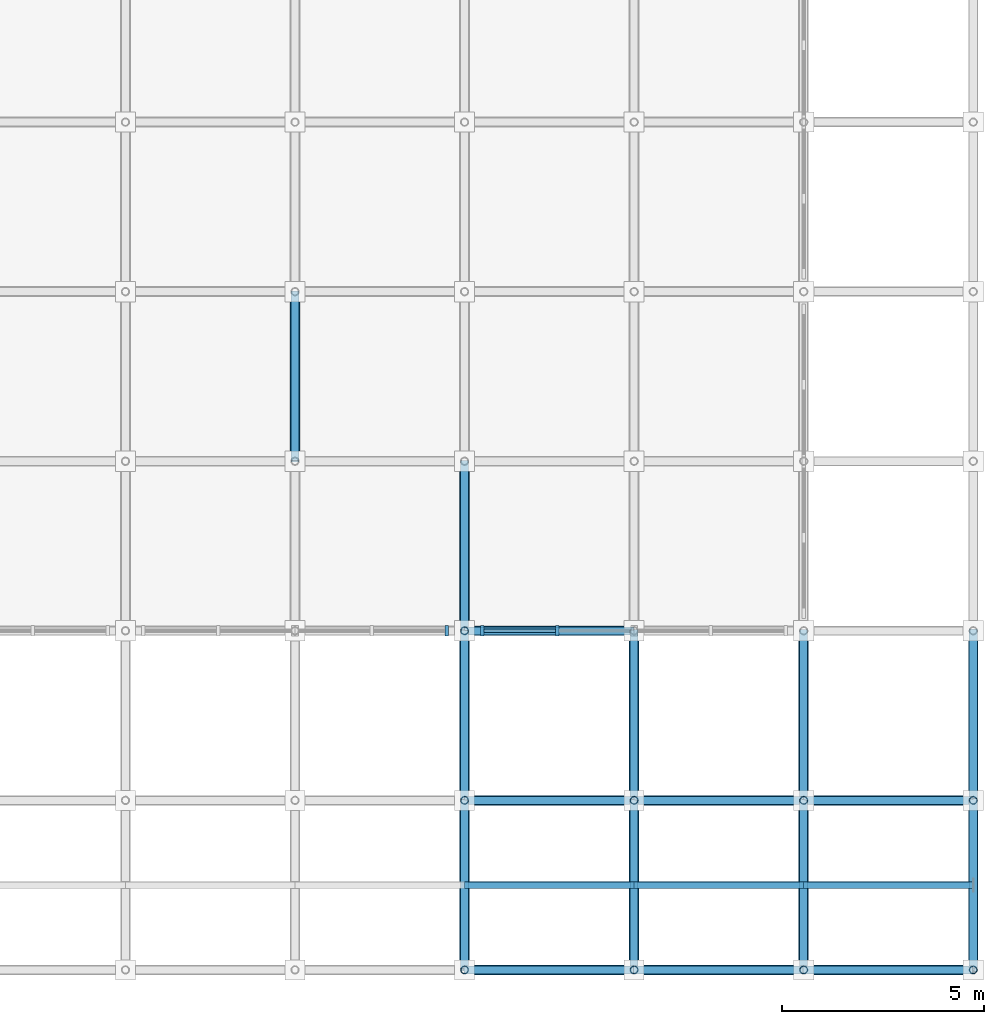
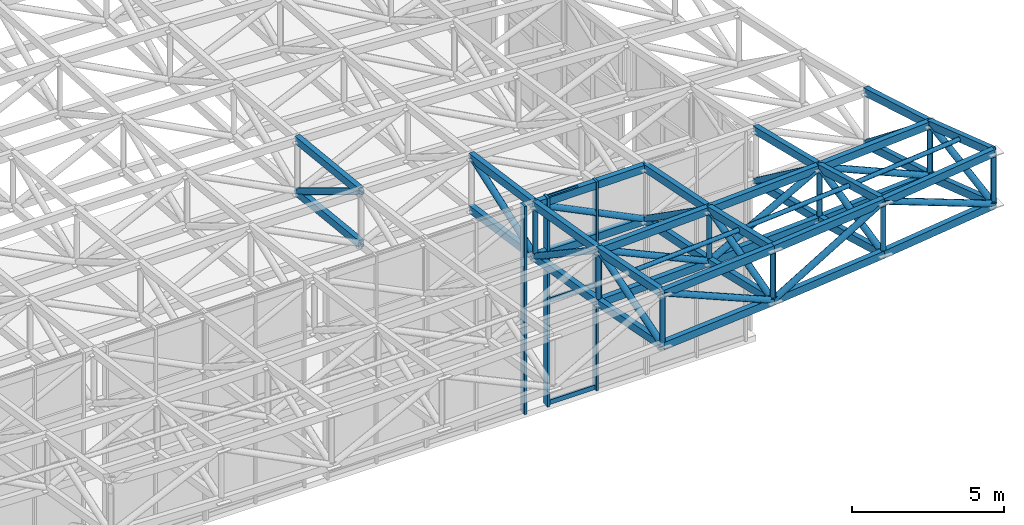
# One storey, part 34 of 123: 69 members, 2 elements without a shape of their own.
"""IFC4 building model written with IfcOpenShell, lengths in metres."""

from ifc_helpers import new_model, si_unit, direction, frame, origin, origin_2d, place, context, subcontext, project, spatial, rectangle, hollow_rectangle, hollow_circle, extrude, material, material_profile, profile_set, type_object, element, aggregate, save


model = new_model("IFC4")

# Units and contexts
model_context = context("Model", 3, precision=1e-05, world=origin(), true_north=direction((0.0, 1.0)))
body_context = subcontext(model_context, "Body", "Model", "MODEL_VIEW")
ifc_project = project(units=[si_unit("LENGTHUNIT", "METRE"), si_unit("AREAUNIT", "SQUARE_METRE"), si_unit("VOLUMEUNIT", "CUBIC_METRE"), si_unit("PLANEANGLEUNIT", "RADIAN"), si_unit("MASSUNIT", "GRAM", prefix="KILO")], contexts=[model_context])

# Site, building, storey
site_placement = place(None, origin())
site = spatial("IfcSite", under=ifc_project, at=site_placement, CompositionType="ELEMENT")
building_placement = place(site_placement, origin())
building = spatial("IfcBuilding", under=site, at=building_placement, Name="Cumbredor Promenade Congress Hotel", CompositionType="ELEMENT")
storey_placement = place(building_placement, frame((0.0, 0.0, 11.760009765625)))
storey = spatial("IfcBuildingStorey", under=building, at=storey_placement, Name="L03", CompositionType="ELEMENT", Elevation=11.760009765625)

# Members
ifc_material_1 = material(Name="Steel ASTM A500 Grade C", Category="steel")
ifc_material_profile_1 = material_profile(ifc_material_1, hollow_rectangle(XDim=0.199951171875, YDim=0.300048828125, WallThickness=0.012451171875, at=origin_2d()), Name="HSS 300x200x12.5")
ifc_profile_set_1 = profile_set([ifc_material_profile_1], Name="Steel ASTM A500 Grade C")
member_type_1 = type_object("IfcMemberType", Name="Ballroom Roof Space Frame Chord", PredefinedType="CHORD", material=ifc_profile_set_1)
for number, where, z_axis, x_axis, name in (
    (1, (176.39990234375, 0.0, 9.75146484375), (0.996962422583, 0.0, 0.077884067423), (0.0, 1.0, 0.0), "Grand Ballroom Pavilion X Top Chord 10.1"),
    (2, (176.39990234375, 0.0, 7.651611328125), (0.996962422583, 0.0, 0.077884067423), (0.0, 1.0, 0.0), "Grand Ballroom Pavilion X Bottom Chord 10.1"),
):
    element("IfcMember", number, at=place(storey_placement, frame(where, z_axis=z_axis, x_axis=x_axis)), inside=storey, type_object=member_type_1, Name=name, PredefinedType="CHORD", context=body_context, shape_type="SweptSolid", body=[
        extrude(hollow_rectangle(XDim=0.199951171875, YDim=0.300048828125, WallThickness=0.012451171875, at=origin_2d()), origin(), (0.0, 0.0, 1.0), 4.212890625),
    ])
for number, where, z_axis, x_axis, name in (
    (3, (180.60009765625, 0.0, 10.07958984375), (0.994998748006, 0.0, 0.099887393932), (0.0, 1.0, 0.0), "Grand Ballroom Pavilion X Top Chord 11.1"),
    (4, (180.60009765625, 0.0, 7.979736328125), (0.995004494852, 0.0, 0.099830131844), (0.0, 1.0, 0.0), "Grand Ballroom Pavilion X Bottom Chord 11.1"),
):
    element("IfcMember", number, at=place(storey_placement, frame(where, z_axis=z_axis, x_axis=x_axis)), inside=storey, type_object=member_type_1, Name=name, PredefinedType="CHORD", context=body_context, shape_type="SweptSolid", body=[
        extrude(hollow_rectangle(XDim=0.199951171875, YDim=0.300048828125, WallThickness=0.012451171875, at=origin_2d()), origin(), (0.0, 0.0, 1.0), 4.220947265625),
    ])
for number, where, z_axis, x_axis, name in (
    (5, (184.800048828125, 0.0, 10.501220703125), (0.992527036972, 0.0, 0.122024919095), (0.0, 1.0, 0.0), "Grand Ballroom Pavilion X Top Chord 12.1"),
    (6, (184.800048828125, 0.0, 8.401123046875), (0.992527036972, 0.0, 0.122024919095), (0.0, 1.0, 0.0), "Grand Ballroom Pavilion X Bottom Chord 12.1"),
):
    element("IfcMember", number, at=place(storey_placement, frame(where, z_axis=z_axis, x_axis=x_axis)), inside=storey, type_object=member_type_1, Name=name, PredefinedType="CHORD", context=body_context, shape_type="SweptSolid", body=[
        extrude(hollow_rectangle(XDim=0.199951171875, YDim=0.300048828125, WallThickness=0.012451171875, at=origin_2d()), origin(), (0.0, 0.0, 1.0), 4.231689453125),
    ])
member_1_placement = place(storey_placement, frame((176.39990234375, 4.199951171875, 8.9306640625), z_axis=(0.99915666464, 0.0, 0.041060437218), x_axis=(0.0, 1.0, 0.0)))
element("IfcMember", 7, at=member_1_placement, inside=storey, type_object=member_type_1, Name="Grand Ballroom Pavilion X Top Chord 10.2", PredefinedType="CHORD", context=body_context, shape_type="SweptSolid", body=[
    extrude(hollow_rectangle(XDim=0.199951171875, YDim=0.300048828125, WallThickness=0.012451171875, at=origin_2d()), origin(), (0.0, 0.0, 1.0), 4.203857421875),
])
member_2_placement = place(storey_placement, frame((176.39990234375, 4.199951171875, 6.830810546875), z_axis=(0.99915904562, 0.0, 0.041002457929), x_axis=(0.0, 1.0, 0.0)))
element("IfcMember", 8, at=member_2_placement, inside=storey, type_object=member_type_1, Name="Grand Ballroom Pavilion X Bottom Chord 10.2", PredefinedType="CHORD", context=body_context, shape_type="SweptSolid", body=[
    extrude(hollow_rectangle(XDim=0.199951171875, YDim=0.300048828125, WallThickness=0.012451171875, at=origin_2d()), origin(), (0.0, 0.0, 1.0), 4.20361328125),
])
for number, where, z_axis, x_axis, name in (
    (9, (180.60009765625, 4.199951171875, 9.103271484375), (0.998616064852, 0.0, 0.052592347541), (0.0, 1.0, 0.0), "Grand Ballroom Pavilion X Top Chord 11.2"),
    (10, (180.60009765625, 4.199951171875, 7.003173828125), (0.998613014478, 0.0, 0.052650235664), (0.0, 1.0, 0.0), "Grand Ballroom Pavilion X Bottom Chord 11.2"),
):
    element("IfcMember", number, at=place(storey_placement, frame(where, z_axis=z_axis, x_axis=x_axis)), inside=storey, type_object=member_type_1, Name=name, PredefinedType="CHORD", context=body_context, shape_type="SweptSolid", body=[
        extrude(hollow_rectangle(XDim=0.199951171875, YDim=0.300048828125, WallThickness=0.012451171875, at=origin_2d()), origin(), (0.0, 0.0, 1.0), 4.205810546875),
    ])
for number, where, z_axis, x_axis, name in (
    (11, (184.800048828125, 4.199951171875, 9.324462890625), (0.997849616578, 0.0, 0.065544966967), (0.0, 1.0, 0.0), "Grand Ballroom Pavilion X Top Chord 12.2"),
    (12, (184.800048828125, 4.199951171875, 7.224609375), (0.997853408642, 0.0, 0.065487211437), (0.0, 1.0, 0.0), "Grand Ballroom Pavilion X Bottom Chord 12.2"),
):
    element("IfcMember", number, at=place(storey_placement, frame(where, z_axis=z_axis, x_axis=x_axis)), inside=storey, type_object=member_type_1, Name=name, PredefinedType="CHORD", context=body_context, shape_type="SweptSolid", body=[
        extrude(hollow_rectangle(XDim=0.199951171875, YDim=0.300048828125, WallThickness=0.012451171875, at=origin_2d()), origin(), (0.0, 0.0, 1.0), 4.208984375),
    ])
for number, where, z_axis, x_axis, name in (
    (13, (176.39990234375, 8.39990234375, 8.215576171875), (0.999959938567, 0.0, 0.008951048043), (0.0, 1.0, 0.0), "Grand Ballroom Pavilion X Top Chord 10.3"),
    (14, (176.39990234375, 8.39990234375, 6.115478515625), (0.999959938567, 0.0, 0.008951048043), (0.0, 1.0, 0.0), "Grand Ballroom Pavilion X Bottom Chord 10.3"),
):
    element("IfcMember", number, at=place(storey_placement, frame(where, z_axis=z_axis, x_axis=x_axis)), inside=storey, type_object=member_type_1, Name=name, PredefinedType="CHORD", context=body_context, shape_type="SweptSolid", body=[
        extrude(hollow_rectangle(XDim=0.199951171875, YDim=0.300048828125, WallThickness=0.012451171875, at=origin_2d()), origin(), (0.0, 0.0, 1.0), 4.200439453125),
    ])
for number, where, z_axis, x_axis, name in (
    (15, (172.199951171875, 12.60009765625, 7.657958984375), (0.0, 0.99450450258, -0.104693812368), (-1.0, 0.0, 0.0), "Grand Ballroom Pavilion Y Top Chord 9.4"),
    (16, (172.199951171875, 12.60009765625, 5.55810546875), (0.0, 0.99449848189, -0.104750988152), (-1.0, 0.0, 0.0), "Grand Ballroom Pavilion Y Bottom Chord 9.4"),
):
    element("IfcMember", number, at=place(storey_placement, frame(where, z_axis=z_axis, x_axis=x_axis)), inside=storey, type_object=member_type_1, Name=name, PredefinedType="CHORD", context=body_context, shape_type="SweptSolid", body=[
        extrude(hollow_rectangle(XDim=0.199951171875, YDim=0.300048828125, WallThickness=0.012451171875, at=origin_2d()), origin(), (0.0, 0.0, 1.0), 4.22314453125),
    ])
for number, where, z_axis, x_axis, name in (
    (17, (176.39990234375, 0.0, 9.75146484375), (0.0, 0.981433531081, -0.191802565337), (-1.0, 0.0, 0.0), "Grand Ballroom Pavilion Y Top Chord 10.1"),
    (18, (176.39990234375, 0.0, 7.651611328125), (0.0, 0.981433531081, -0.191802565337), (-1.0, 0.0, 0.0), "Grand Ballroom Pavilion Y Bottom Chord 10.1"),
):
    element("IfcMember", number, at=place(storey_placement, frame(where, z_axis=z_axis, x_axis=x_axis)), inside=storey, type_object=member_type_1, Name=name, PredefinedType="CHORD", context=body_context, shape_type="SweptSolid", body=[
        extrude(hollow_rectangle(XDim=0.199951171875, YDim=0.300048828125, WallThickness=0.012451171875, at=origin_2d()), origin(), (0.0, 0.0, 1.0), 4.279296875),
    ])
for number, where, z_axis, x_axis, name in (
    (19, (176.39990234375, 4.199951171875, 8.9306640625), (0.0, 0.985813302851, -0.167845559731), (-1.0, 0.0, 0.0), "Grand Ballroom Pavilion Y Top Chord 10.2"),
    (20, (176.39990234375, 4.199951171875, 6.830810546875), (0.0, 0.985803819477, -0.167901249263), (-1.0, 0.0, 0.0), "Grand Ballroom Pavilion Y Bottom Chord 10.2"),
):
    element("IfcMember", number, at=place(storey_placement, frame(where, z_axis=z_axis, x_axis=x_axis)), inside=storey, type_object=member_type_1, Name=name, PredefinedType="CHORD", context=body_context, shape_type="SweptSolid", body=[
        extrude(hollow_rectangle(XDim=0.199951171875, YDim=0.300048828125, WallThickness=0.012451171875, at=origin_2d()), origin(), (0.0, 0.0, 1.0), 4.260498046875),
    ])
for number, where, z_axis, x_axis, name in (
    (21, (176.39990234375, 8.39990234375, 8.215576171875), (0.0, 0.989507642104, -0.144480539233), (-1.0, 0.0, 0.0), "Grand Ballroom Pavilion Y Top Chord 10.3"),
    (22, (176.39990234375, 8.39990234375, 6.115478515625), (0.0, 0.989507642104, -0.144480539233), (-1.0, 0.0, 0.0), "Grand Ballroom Pavilion Y Bottom Chord 10.3"),
):
    element("IfcMember", number, at=place(storey_placement, frame(where, z_axis=z_axis, x_axis=x_axis)), inside=storey, type_object=member_type_1, Name=name, PredefinedType="CHORD", context=body_context, shape_type="SweptSolid", body=[
        extrude(hollow_rectangle(XDim=0.199951171875, YDim=0.300048828125, WallThickness=0.012451171875, at=origin_2d()), origin(), (0.0, 0.0, 1.0), 4.24462890625),
    ])
for number, where, z_axis, x_axis, name in (
    (23, (180.60009765625, 0.0, 10.07958984375), (0.0, 0.97402922975, -0.226422303655), (-1.0, 0.0, 0.0), "Grand Ballroom Pavilion Y Top Chord 11.1"),
    (24, (180.60009765625, 0.0, 7.979736328125), (0.0, 0.974016741404, -0.226476019625), (-1.0, 0.0, 0.0), "Grand Ballroom Pavilion Y Bottom Chord 11.1"),
):
    element("IfcMember", number, at=place(storey_placement, frame(where, z_axis=z_axis, x_axis=x_axis)), inside=storey, type_object=member_type_1, Name=name, PredefinedType="CHORD", context=body_context, shape_type="SweptSolid", body=[
        extrude(hollow_rectangle(XDim=0.199951171875, YDim=0.300048828125, WallThickness=0.012451171875, at=origin_2d()), origin(), (0.0, 0.0, 1.0), 4.31201171875),
    ])
for number, where, z_axis, x_axis, name in (
    (25, (180.60009765625, 4.199951171875, 9.103271484375), (0.0, 0.9801244518, -0.198383615716), (-1.0, 0.0, 0.0), "Grand Ballroom Pavilion Y Top Chord 11.2"),
    (26, (180.60009765625, 4.199951171875, 7.003173828125), (0.0, 0.9801244518, -0.198383615716), (-1.0, 0.0, 0.0), "Grand Ballroom Pavilion Y Bottom Chord 11.2"),
):
    element("IfcMember", number, at=place(storey_placement, frame(where, z_axis=z_axis, x_axis=x_axis)), inside=storey, type_object=member_type_1, Name=name, PredefinedType="CHORD", context=body_context, shape_type="SweptSolid", body=[
        extrude(hollow_rectangle(XDim=0.199951171875, YDim=0.300048828125, WallThickness=0.012451171875, at=origin_2d()), origin(), (0.0, 0.0, 1.0), 4.28515625),
    ])
for number, where, z_axis, x_axis, name in (
    (27, (184.800048828125, 0.0, 10.501220703125), (0.0, 0.962918080617, -0.269793939927), (-1.0, 0.0, 0.0), "Grand Ballroom Pavilion Y Top Chord 12.1"),
    (28, (184.800048828125, 0.0, 8.401123046875), (0.0, 0.962932620853, -0.269742039173), (-1.0, 0.0, 0.0), "Grand Ballroom Pavilion Y Bottom Chord 12.1"),
):
    element("IfcMember", number, at=place(storey_placement, frame(where, z_axis=z_axis, x_axis=x_axis)), inside=storey, type_object=member_type_1, Name=name, PredefinedType="CHORD", context=body_context, shape_type="SweptSolid", body=[
        extrude(hollow_rectangle(XDim=0.199951171875, YDim=0.300048828125, WallThickness=0.012451171875, at=origin_2d()), origin(), (0.0, 0.0, 1.0), 4.361572265625),
    ])
for number, where, z_axis, x_axis, name in (
    (29, (184.800048828125, 4.199951171875, 9.324462890625), (0.0, 0.971583409518, -0.236697440521), (-1.0, 0.0, 0.0), "Grand Ballroom Pavilion Y Top Chord 12.2"),
    (30, (184.800048828125, 4.199951171875, 7.224609375), (0.0, 0.971570420011, -0.236750752816), (-1.0, 0.0, 0.0), "Grand Ballroom Pavilion Y Bottom Chord 12.2"),
):
    element("IfcMember", number, at=place(storey_placement, frame(where, z_axis=z_axis, x_axis=x_axis)), inside=storey, type_object=member_type_1, Name=name, PredefinedType="CHORD", context=body_context, shape_type="SweptSolid", body=[
        extrude(hollow_rectangle(XDim=0.199951171875, YDim=0.300048828125, WallThickness=0.012451171875, at=origin_2d()), origin(), (0.0, 0.0, 1.0), 4.32275390625),
    ])
for number, where, z_axis, x_axis, name in (
    (31, (189.0, 0.0, 11.017578125), (0.0, 0.947509174268, -0.319728579703), (-1.0, 0.0, 0.0), "Grand Ballroom Pavilion Y Top Chord 13.1"),
    (32, (189.0, 0.0, 8.91748046875), (0.0, 0.947509174268, -0.319728579703), (-1.0, 0.0, 0.0), "Grand Ballroom Pavilion Y Bottom Chord 13.1"),
):
    element("IfcMember", number, at=place(storey_placement, frame(where, z_axis=z_axis, x_axis=x_axis)), inside=storey, type_object=member_type_1, Name=name, PredefinedType="CHORD", context=body_context, shape_type="SweptSolid", body=[
        extrude(hollow_rectangle(XDim=0.199951171875, YDim=0.300048828125, WallThickness=0.012451171875, at=origin_2d()), origin(), (0.0, 0.0, 1.0), 4.4326171875),
    ])
for number, where, z_axis, x_axis, name in (
    (33, (189.0, 4.199951171875, 9.600341796875), (0.0, 0.959285548412, -0.282438022595), (-1.0, 0.0, 0.0), "Grand Ballroom Pavilion Y Top Chord 13.2"),
    (34, (189.0, 4.199951171875, 7.500244140625), (0.0, 0.959300655549, -0.282386706952), (-1.0, 0.0, 0.0), "Grand Ballroom Pavilion Y Bottom Chord 13.2"),
):
    element("IfcMember", number, at=place(storey_placement, frame(where, z_axis=z_axis, x_axis=x_axis)), inside=storey, type_object=member_type_1, Name=name, PredefinedType="CHORD", context=body_context, shape_type="SweptSolid", body=[
        extrude(hollow_rectangle(XDim=0.199951171875, YDim=0.300048828125, WallThickness=0.012451171875, at=origin_2d()), origin(), (0.0, 0.0, 1.0), 4.378173828125),
    ])

# Curtain wall, member
ifc_material_2 = material(Name="Thermally broken anodized aluminium and low-E glass", Category="aluminium")
curtain_wall_type = type_object("IfcCurtainWallType", Name="Stepped Pavilion Clerestory Curtain Wall CW-06", PredefinedType="NOTDEFINED", material=ifc_material_2)
curtain_wall_1_placement = place(storey_placement, origin())
curtain_wall_1 = element("IfcCurtainWall", 35, at=curtain_wall_1_placement, inside=storey, type_object=curtain_wall_type, Name="Grand Ballroom Pavilion S Glazed Clerestory 8", PredefinedType="NOTDEFINED")
ifc_material_3 = material(Name="Thermally broken anodized aluminium", Category="aluminium")
ifc_material_profile_2 = material_profile(ifc_material_3, rectangle(XDim=0.0849609375, YDim=0.260009765625, at=origin_2d()), Name="ALU MULLION CLERESTORY 85x260")
ifc_profile_set_2 = profile_set([ifc_material_profile_2], Name="Thermally broken anodized aluminium")
member_type_2 = type_object("IfcMemberType", Name="Curtain Wall Mullion ML-04", PredefinedType="MULLION", material=ifc_profile_set_2)
member_3_placement = place(storey_placement, frame((175.9599609375, 8.39990234375, -0.01806640625), z_axis=(0.0, 0.0, 1.0), x_axis=(1.0, 0.0, 0.0)))
member_3 = element("IfcMember", 36, at=member_3_placement, type_object=member_type_2, Name="Grand Ballroom Pavilion S Glazed Clerestory 8 Mullion 3", PredefinedType="MULLION", context=body_context, shape_type="SweptSolid", body=[
    extrude(rectangle(XDim=0.0849609375, YDim=0.260009765625, at=origin_2d()), origin(), (0.0, 0.0, 1.0), 8.382568359375),
])
aggregate(curtain_wall_1, [member_3])

# Curtain wall, members
curtain_wall_2_placement = place(storey_placement, origin())
curtain_wall_2 = element("IfcCurtainWall", 37, at=curtain_wall_2_placement, inside=storey, type_object=curtain_wall_type, Name="Grand Ballroom Pavilion S Glazed Clerestory 9", PredefinedType="NOTDEFINED")
member_4_placement = place(storey_placement, frame((176.840087890625, 8.39990234375, -0.01806640625), z_axis=(0.0, 0.0, 1.0), x_axis=(1.0, 0.0, 0.0)))
member_4 = element("IfcMember", 38, at=member_4_placement, type_object=member_type_2, Name="Grand Ballroom Pavilion S Glazed Clerestory 9 Mullion 1", PredefinedType="MULLION", context=body_context, shape_type="SweptSolid", body=[
    extrude(rectangle(XDim=0.0849609375, YDim=0.260009765625, at=origin_2d()), origin(), (0.0, 0.0, 1.0), 8.40966796875),
])
member_5_placement = place(storey_placement, frame((178.699951171875, 8.39990234375, -0.01806640625), z_axis=(0.0, 0.0, 1.0), x_axis=(1.0, 0.0, 0.0)))
member_5 = element("IfcMember", 39, at=member_5_placement, type_object=member_type_2, Name="Grand Ballroom Pavilion S Glazed Clerestory 9 Mullion 2", PredefinedType="MULLION", context=body_context, shape_type="SweptSolid", body=[
    extrude(rectangle(XDim=0.0849609375, YDim=0.260009765625, at=origin_2d()), origin(), (0.0, 0.0, 1.0), 8.40966796875),
])
ifc_material_profile_3 = material_profile(ifc_material_3, rectangle(XDim=0.080078125, YDim=0.179931640625, at=origin_2d()), Name="ALU TRANSOM 80x180")
ifc_profile_set_3 = profile_set([ifc_material_profile_3], Name="Thermally broken anodized aluminium")
member_type_3 = type_object("IfcMemberType", Name="Curtain Wall Transom TR-03", PredefinedType="USERDEFINED", material=ifc_profile_set_3)
member_6_placement = place(storey_placement, frame((176.882568359375, 8.39990234375, 0.080078125), z_axis=(1.0, 0.0, 0.0), x_axis=(0.0, 1.0, 0.0)))
member_6 = element("IfcMember", 40, at=member_6_placement, type_object=member_type_3, Name="Grand Ballroom Pavilion S Glazed Clerestory 9 Transom 1.1", ObjectType="TRANSOM", PredefinedType="USERDEFINED", context=body_context, shape_type="SweptSolid", body=[
    extrude(rectangle(XDim=0.080078125, YDim=0.179931640625, at=origin_2d()), origin(), (0.0, 0.0, 1.0), 1.77490234375),
])
member_7_placement = place(storey_placement, frame((176.882568359375, 8.39990234375, 4.18994140625), z_axis=(1.0, 0.0, 0.0), x_axis=(0.0, 1.0, 0.0)))
member_7 = element("IfcMember", 41, at=member_7_placement, type_object=member_type_3, Name="Grand Ballroom Pavilion S Glazed Clerestory 9 Transom 1.2", ObjectType="TRANSOM", PredefinedType="USERDEFINED", context=body_context, shape_type="SweptSolid", body=[
    extrude(rectangle(XDim=0.080078125, YDim=0.179931640625, at=origin_2d()), origin(), (0.0, 0.0, 1.0), 1.77490234375),
])
member_8_placement = place(storey_placement, frame((176.882568359375, 8.39990234375, 8.2900390625), z_axis=(1.0, 0.0, 0.0), x_axis=(0.0, 1.0, 0.0)))
member_8 = element("IfcMember", 42, at=member_8_placement, type_object=member_type_3, Name="Grand Ballroom Pavilion S Glazed Clerestory 9 Transom 1.3", ObjectType="TRANSOM", PredefinedType="USERDEFINED", context=body_context, shape_type="SweptSolid", body=[
    extrude(rectangle(XDim=0.080078125, YDim=0.179931640625, at=origin_2d()), origin(), (0.0, 0.0, 1.0), 1.77490234375),
])
aggregate(curtain_wall_2, [member_4, member_5, member_6, member_7, member_8])

# Members
ifc_material_profile_4 = material_profile(ifc_material_1, hollow_circle(Radius=0.084228515625, WallThickness=0.010009765625, at=origin_2d()), Name="CHS 168.3x10")
ifc_profile_set_4 = profile_set([ifc_material_profile_4], Name="Steel ASTM A500 Grade C")
member_type_4 = type_object("IfcMemberType", Name="Roof Purlin CHS168", PredefinedType="PURLIN", material=ifc_profile_set_4)
member_9_placement = place(storey_placement, frame((176.39990234375, 2.10009765625, 9.321044921875), z_axis=(0.998226426132, 0.0, 0.059531522507), x_axis=(0.0, 1.0, 0.0)))
element("IfcMember", 43, at=member_9_placement, inside=storey, type_object=member_type_4, Name="Grand Ballroom Pavilion Roof Eave Purlin 10.1", PredefinedType="PURLIN", context=body_context, shape_type="SweptSolid", body=[
    extrude(hollow_circle(Radius=0.084228515625, WallThickness=0.010009765625, at=origin_2d()), origin(), (0.0, 0.0, 1.0), 4.207763671875),
])
member_10_placement = place(storey_placement, frame((180.60009765625, 2.10009765625, 9.571533203125), z_axis=(0.997086786034, 0.0, 0.07627542931), x_axis=(0.0, 1.0, 0.0)))
element("IfcMember", 44, at=member_10_placement, inside=storey, type_object=member_type_4, Name="Grand Ballroom Pavilion Roof Eave Purlin 11.1", PredefinedType="PURLIN", context=body_context, shape_type="SweptSolid", body=[
    extrude(hollow_circle(Radius=0.084228515625, WallThickness=0.010009765625, at=origin_2d()), origin(), (0.0, 0.0, 1.0), 4.212158203125),
])
member_11_placement = place(storey_placement, frame((184.800048828125, 2.10009765625, 9.892822265625), z_axis=(0.99557909429, 0.0, 0.093926923794), x_axis=(0.0, 1.0, 0.0)))
element("IfcMember", 45, at=member_11_placement, inside=storey, type_object=member_type_4, Name="Grand Ballroom Pavilion Roof Eave Purlin 12.1", PredefinedType="PURLIN", context=body_context, shape_type="SweptSolid", body=[
    extrude(hollow_circle(Radius=0.084228515625, WallThickness=0.010009765625, at=origin_2d()), origin(), (0.0, 0.0, 1.0), 4.218505859375),
])
ifc_material_profile_5 = material_profile(ifc_material_1, hollow_circle(Radius=0.122314453125, WallThickness=0.012451171875, at=origin_2d()), Name="CHS 244.5x12.5")
ifc_profile_set_5 = profile_set([ifc_material_profile_5], Name="Steel ASTM A500 Grade C")
member_type_5 = type_object("IfcMemberType", Name="Space Frame Web Diagonal D2", PredefinedType="BRACE", material=ifc_profile_set_5)
member_12_placement = place(storey_placement, frame((176.39990234375, 0.0, 9.75146484375), z_axis=(0.921382141561, 0.0, -0.388657881964), x_axis=(0.0, 1.0, 0.0)))
element("IfcMember", 46, at=member_12_placement, inside=storey, type_object=member_type_5, Name="Grand Ballroom Pavilion X Web Diagonal 10.1", PredefinedType="BRACE", context=body_context, shape_type="SweptSolid", body=[
    extrude(hollow_circle(Radius=0.122314453125, WallThickness=0.012451171875, at=origin_2d()), origin(), (0.0, 0.0, 1.0), 4.55859375),
])
member_13_placement = place(storey_placement, frame((180.60009765625, 0.0, 7.979736328125), z_axis=(0.857356575064, 0.0, 0.514722938282), x_axis=(0.0, 1.0, 0.0)))
element("IfcMember", 47, at=member_13_placement, inside=storey, type_object=member_type_5, Name="Grand Ballroom Pavilion X Web Diagonal 11.1", PredefinedType="BRACE", context=body_context, shape_type="SweptSolid", body=[
    extrude(hollow_circle(Radius=0.122314453125, WallThickness=0.012451171875, at=origin_2d()), origin(), (0.0, 0.0, 1.0), 4.898681640625),
])
member_14_placement = place(storey_placement, frame((184.800048828125, 0.0, 10.501220703125), z_axis=(0.935686100602, 0.0, -0.352833560112), x_axis=(0.0, 1.0, 0.0)))
element("IfcMember", 48, at=member_14_placement, inside=storey, type_object=member_type_5, Name="Grand Ballroom Pavilion X Web Diagonal 12.1", PredefinedType="BRACE", context=body_context, shape_type="SweptSolid", body=[
    extrude(hollow_circle(Radius=0.122314453125, WallThickness=0.012451171875, at=origin_2d()), origin(), (0.0, 0.0, 1.0), 4.488525390625),
])
member_15_placement = place(storey_placement, frame((176.39990234375, 4.199951171875, 8.9306640625), z_axis=(0.908867958602, 0.0, -0.41708396496), x_axis=(0.0, 1.0, 0.0)))
element("IfcMember", 49, at=member_15_placement, inside=storey, type_object=member_type_5, Name="Grand Ballroom Pavilion X Web Diagonal 10.2", PredefinedType="BRACE", context=body_context, shape_type="SweptSolid", body=[
    extrude(hollow_circle(Radius=0.122314453125, WallThickness=0.012451171875, at=origin_2d()), origin(), (0.0, 0.0, 1.0), 4.621337890625),
])
member_16_placement = place(storey_placement, frame((180.60009765625, 4.199951171875, 7.003173828125), z_axis=(0.875218296148, 0.0, 0.483728161354), x_axis=(0.0, 1.0, 0.0)))
element("IfcMember", 50, at=member_16_placement, inside=storey, type_object=member_type_5, Name="Grand Ballroom Pavilion X Web Diagonal 11.2", PredefinedType="BRACE", context=body_context, shape_type="SweptSolid", body=[
    extrude(hollow_circle(Radius=0.122314453125, WallThickness=0.012451171875, at=origin_2d()), origin(), (0.0, 0.0, 1.0), 4.798828125),
])
member_17_placement = place(storey_placement, frame((184.800048828125, 4.199951171875, 9.324462890625), z_axis=(0.917217484925, 0.0, -0.398386853884), x_axis=(0.0, 1.0, 0.0)))
element("IfcMember", 51, at=member_17_placement, inside=storey, type_object=member_type_5, Name="Grand Ballroom Pavilion X Web Diagonal 12.2", PredefinedType="BRACE", context=body_context, shape_type="SweptSolid", body=[
    extrude(hollow_circle(Radius=0.122314453125, WallThickness=0.012451171875, at=origin_2d()), origin(), (0.0, 0.0, 1.0), 4.5791015625),
])
member_18_placement = place(storey_placement, frame((176.39990234375, 8.39990234375, 8.215576171875), z_axis=(0.897618070642, 0.0, -0.440774090955), x_axis=(0.0, 1.0, 0.0)))
element("IfcMember", 52, at=member_18_placement, inside=storey, type_object=member_type_5, Name="Grand Ballroom Pavilion X Web Diagonal 10.3", PredefinedType="BRACE", context=body_context, shape_type="SweptSolid", body=[
    extrude(hollow_circle(Radius=0.122314453125, WallThickness=0.012451171875, at=origin_2d()), origin(), (0.0, 0.0, 1.0), 4.67919921875),
])
member_19_placement = place(storey_placement, frame((172.199951171875, 12.60009765625, 7.657958984375), z_axis=(0.0, 0.855485585984, -0.517826623662), x_axis=(-1.0, 0.0, 0.0)))
element("IfcMember", 53, at=member_19_placement, inside=storey, type_object=member_type_5, Name="Grand Ballroom Pavilion Y Web Diagonal 9.4", PredefinedType="BRACE", context=body_context, shape_type="SweptSolid", body=[
    extrude(hollow_circle(Radius=0.122314453125, WallThickness=0.012451171875, at=origin_2d()), origin(), (0.0, 0.0, 1.0), 4.909423828125),
])
member_20_placement = place(storey_placement, frame((176.39990234375, 0.0, 7.651611328125), z_axis=(0.0, 0.956622683291, 0.291329781885), x_axis=(-1.0, 0.0, 0.0)))
element("IfcMember", 54, at=member_20_placement, inside=storey, type_object=member_type_5, Name="Grand Ballroom Pavilion Y Web Diagonal 10.1", PredefinedType="BRACE", context=body_context, shape_type="SweptSolid", body=[
    extrude(hollow_circle(Radius=0.122314453125, WallThickness=0.012451171875, at=origin_2d()), origin(), (0.0, 0.0, 1.0), 4.390380859375),
])
member_21_placement = place(storey_placement, frame((176.39990234375, 4.199951171875, 8.9306640625), z_axis=(0.0, 0.830658543347, -0.556782169583), x_axis=(-1.0, 0.0, 0.0)))
element("IfcMember", 55, at=member_21_placement, inside=storey, type_object=member_type_5, Name="Grand Ballroom Pavilion Y Web Diagonal 10.2", PredefinedType="BRACE", context=body_context, shape_type="SweptSolid", body=[
    extrude(hollow_circle(Radius=0.122314453125, WallThickness=0.012451171875, at=origin_2d()), origin(), (0.0, 0.0, 1.0), 5.05615234375),
])
member_22_placement = place(storey_placement, frame((176.39990234375, 8.39990234375, 6.115478515625), z_axis=(0.0, 0.94268038033, 0.333697019077), x_axis=(-1.0, 0.0, 0.0)))
element("IfcMember", 56, at=member_22_placement, inside=storey, type_object=member_type_5, Name="Grand Ballroom Pavilion Y Web Diagonal 10.3", PredefinedType="BRACE", context=body_context, shape_type="SweptSolid", body=[
    extrude(hollow_circle(Radius=0.122314453125, WallThickness=0.012451171875, at=origin_2d()), origin(), (0.0, 0.0, 1.0), 4.45556640625),
])
member_23_placement = place(storey_placement, frame((180.60009765625, 0.0, 7.979736328125), z_axis=(0.0, 0.966031456582, 0.258424505214), x_axis=(-1.0, 0.0, 0.0)))
element("IfcMember", 57, at=member_23_placement, inside=storey, type_object=member_type_5, Name="Grand Ballroom Pavilion Y Web Diagonal 11.1", PredefinedType="BRACE", context=body_context, shape_type="SweptSolid", body=[
    extrude(hollow_circle(Radius=0.122314453125, WallThickness=0.012451171875, at=origin_2d()), origin(), (0.0, 0.0, 1.0), 4.34765625),
])
member_24_placement = place(storey_placement, frame((180.60009765625, 4.199951171875, 9.103271484375), z_axis=(0.0, 0.818294493552, -0.574799201307), x_axis=(-1.0, 0.0, 0.0)))
element("IfcMember", 58, at=member_24_placement, inside=storey, type_object=member_type_5, Name="Grand Ballroom Pavilion Y Web Diagonal 11.2", PredefinedType="BRACE", context=body_context, shape_type="SweptSolid", body=[
    extrude(hollow_circle(Radius=0.122314453125, WallThickness=0.012451171875, at=origin_2d()), origin(), (0.0, 0.0, 1.0), 5.132568359375),
])
member_25_placement = place(storey_placement, frame((184.800048828125, 0.0, 8.401123046875), z_axis=(0.0, 0.976676146189, 0.2147177344), x_axis=(-1.0, 0.0, 0.0)))
element("IfcMember", 59, at=member_25_placement, inside=storey, type_object=member_type_5, Name="Grand Ballroom Pavilion Y Web Diagonal 12.1", PredefinedType="BRACE", context=body_context, shape_type="SweptSolid", body=[
    extrude(hollow_circle(Radius=0.122314453125, WallThickness=0.012451171875, at=origin_2d()), origin(), (0.0, 0.0, 1.0), 4.30029296875),
])
member_26_placement = place(storey_placement, frame((184.800048828125, 4.199951171875, 9.324462890625), z_axis=(0.0, 0.802439432408, -0.596733573144), x_axis=(-1.0, 0.0, 0.0)))
element("IfcMember", 60, at=member_26_placement, inside=storey, type_object=member_type_5, Name="Grand Ballroom Pavilion Y Web Diagonal 12.2", PredefinedType="BRACE", context=body_context, shape_type="SweptSolid", body=[
    extrude(hollow_circle(Radius=0.122314453125, WallThickness=0.012451171875, at=origin_2d()), origin(), (0.0, 0.0, 1.0), 5.23388671875),
])
member_27_placement = place(storey_placement, frame((189.0, 0.0, 8.91748046875), z_axis=(0.0, 0.987038991862, 0.160480617348), x_axis=(-1.0, 0.0, 0.0)))
element("IfcMember", 61, at=member_27_placement, inside=storey, type_object=member_type_5, Name="Grand Ballroom Pavilion Y Web Diagonal 13.1", PredefinedType="BRACE", context=body_context, shape_type="SweptSolid", body=[
    extrude(hollow_circle(Radius=0.122314453125, WallThickness=0.012451171875, at=origin_2d()), origin(), (0.0, 0.0, 1.0), 4.255126953125),
])
member_28_placement = place(storey_placement, frame((189.0, 4.199951171875, 9.600341796875), z_axis=(0.0, 0.783004568649, -0.62201595275), x_axis=(-1.0, 0.0, 0.0)))
element("IfcMember", 62, at=member_28_placement, inside=storey, type_object=member_type_5, Name="Grand Ballroom Pavilion Y Web Diagonal 13.2", PredefinedType="BRACE", context=body_context, shape_type="SweptSolid", body=[
    extrude(hollow_circle(Radius=0.122314453125, WallThickness=0.012451171875, at=origin_2d()), origin(), (0.0, 0.0, 1.0), 5.36376953125),
])
ifc_material_profile_6 = material_profile(ifc_material_1, hollow_circle(Radius=0.096923828125, WallThickness=0.010009765625, at=origin_2d()), Name="CHS 193.7x10")
ifc_profile_set_6 = profile_set([ifc_material_profile_6], Name="Steel ASTM A500 Grade C")
member_type_6 = type_object("IfcMemberType", Name="Space Frame Web Post P1", PredefinedType="BRACE", material=ifc_profile_set_6)
for number, where, z_axis, x_axis, name in (
    (63, (176.39990234375, 0.0, 7.651611328125), (0.0, 0.0, 1.0), (1.0, 0.0, 0.0), "Grand Ballroom Pavilion Space Frame Web Post 10.1"),
    (64, (176.39990234375, 4.199951171875, 6.830810546875), (0.0, 0.0, 1.0), (1.0, 0.0, 0.0), "Grand Ballroom Pavilion Space Frame Web Post 10.2"),
):
    element("IfcMember", number, at=place(storey_placement, frame(where, z_axis=z_axis, x_axis=x_axis)), inside=storey, type_object=member_type_6, Name=name, PredefinedType="BRACE", context=body_context, shape_type="SweptSolid", body=[
        extrude(hollow_circle(Radius=0.096923828125, WallThickness=0.010009765625, at=origin_2d()), origin(), (0.0, 0.0, 1.0), 2.099853515625),
    ])
member_29_placement = place(storey_placement, frame((176.39990234375, 8.39990234375, 6.115478515625), z_axis=(0.0, 0.0, 1.0), x_axis=(1.0, 0.0, 0.0)))
element("IfcMember", 65, at=member_29_placement, inside=storey, type_object=member_type_6, Name="Grand Ballroom Pavilion Space Frame Web Post 10.3", PredefinedType="BRACE", context=body_context, shape_type="SweptSolid", body=[
    extrude(hollow_circle(Radius=0.096923828125, WallThickness=0.010009765625, at=origin_2d()), origin(), (0.0, 0.0, 1.0), 2.10009765625),
])
member_30_placement = place(storey_placement, frame((180.60009765625, 0.0, 7.979736328125), z_axis=(0.0, 0.0, 1.0), x_axis=(1.0, 0.0, 0.0)))
element("IfcMember", 66, at=member_30_placement, inside=storey, type_object=member_type_6, Name="Grand Ballroom Pavilion Space Frame Web Post 11.1", PredefinedType="BRACE", context=body_context, shape_type="SweptSolid", body=[
    extrude(hollow_circle(Radius=0.096923828125, WallThickness=0.010009765625, at=origin_2d()), origin(), (0.0, 0.0, 1.0), 2.099853515625),
])
for number, where, z_axis, x_axis, name in (
    (67, (180.60009765625, 4.199951171875, 7.003173828125), (0.0, 0.0, 1.0), (1.0, 0.0, 0.0), "Grand Ballroom Pavilion Space Frame Web Post 11.2"),
    (68, (184.800048828125, 0.0, 8.401123046875), (0.0, 0.0, 1.0), (1.0, 0.0, 0.0), "Grand Ballroom Pavilion Space Frame Web Post 12.1"),
):
    element("IfcMember", number, at=place(storey_placement, frame(where, z_axis=z_axis, x_axis=x_axis)), inside=storey, type_object=member_type_6, Name=name, PredefinedType="BRACE", context=body_context, shape_type="SweptSolid", body=[
        extrude(hollow_circle(Radius=0.096923828125, WallThickness=0.010009765625, at=origin_2d()), origin(), (0.0, 0.0, 1.0), 2.10009765625),
    ])
member_31_placement = place(storey_placement, frame((184.800048828125, 4.199951171875, 7.224609375), z_axis=(0.0, 0.0, 1.0), x_axis=(1.0, 0.0, 0.0)))
element("IfcMember", 69, at=member_31_placement, inside=storey, type_object=member_type_6, Name="Grand Ballroom Pavilion Space Frame Web Post 12.2", PredefinedType="BRACE", context=body_context, shape_type="SweptSolid", body=[
    extrude(hollow_circle(Radius=0.096923828125, WallThickness=0.010009765625, at=origin_2d()), origin(), (0.0, 0.0, 1.0), 2.099853515625),
])
for number, where, z_axis, x_axis, name in (
    (70, (189.0, 0.0, 8.91748046875), (0.0, 0.0, 1.0), (1.0, 0.0, 0.0), "Grand Ballroom Pavilion Space Frame Web Post 13.1"),
    (71, (189.0, 4.199951171875, 7.500244140625), (0.0, 0.0, 1.0), (1.0, 0.0, 0.0), "Grand Ballroom Pavilion Space Frame Web Post 13.2"),
):
    element("IfcMember", number, at=place(storey_placement, frame(where, z_axis=z_axis, x_axis=x_axis)), inside=storey, type_object=member_type_6, Name=name, PredefinedType="BRACE", context=body_context, shape_type="SweptSolid", body=[
        extrude(hollow_circle(Radius=0.096923828125, WallThickness=0.010009765625, at=origin_2d()), origin(), (0.0, 0.0, 1.0), 2.10009765625),
    ])

save(model, "model.ifc")
